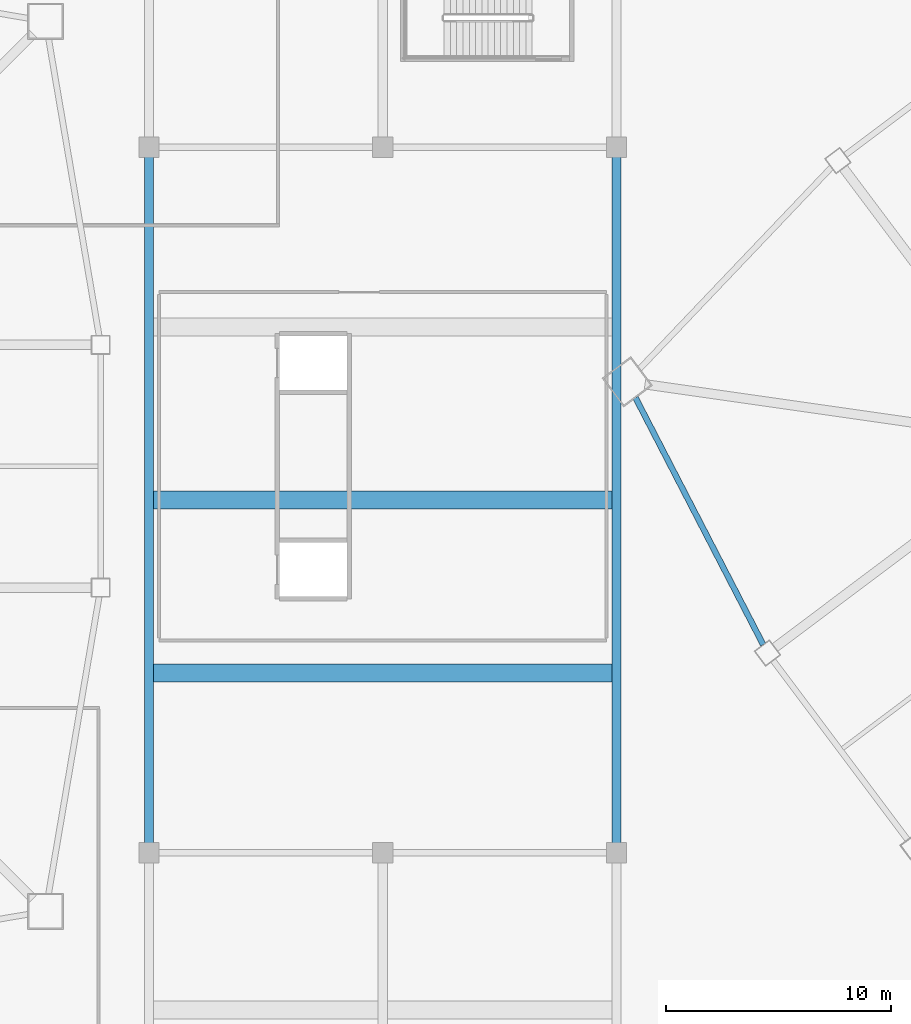
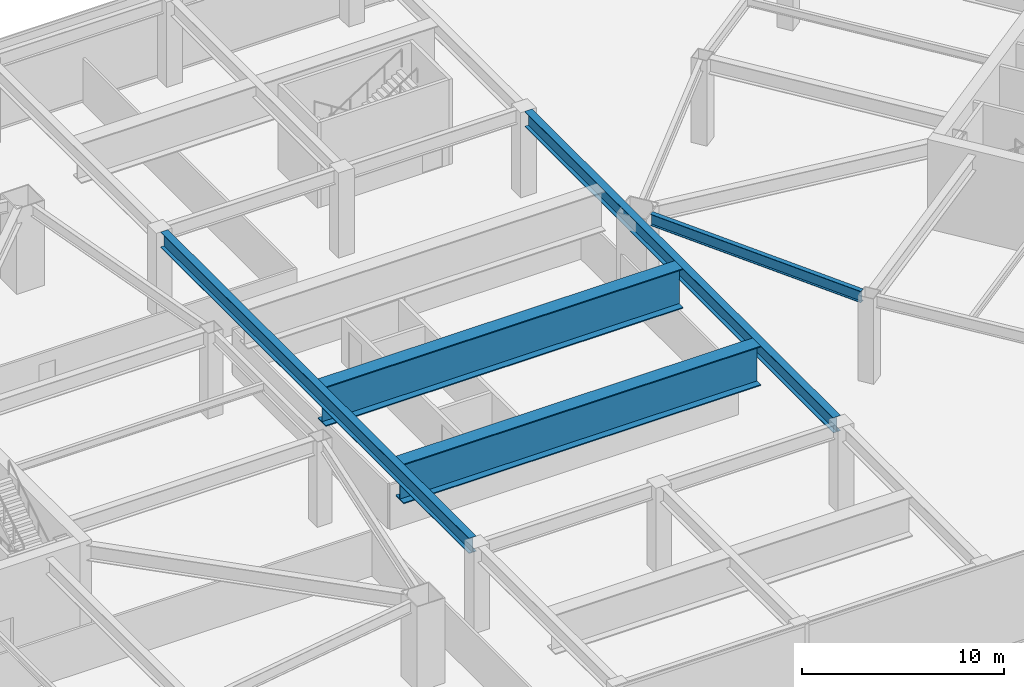
# One storey, part 17 of 48: 5 beams.
"""IFC4 building model written with IfcOpenShell, lengths in metres."""

from ifc_helpers import new_model, si_unit, direction, frame, origin, origin_2d, place, context, subcontext, project, spatial, i_section, extrude, material, material_profile, profile_set, type_object, element, save


model = new_model("IFC4")

# Units and contexts
model_context = context("Model", 3, precision=1e-05, world=origin(), true_north=direction((0.0, 1.0)))
body_context = subcontext(model_context, "Body", "Model", "MODEL_VIEW")
ifc_project = project(units=[si_unit("LENGTHUNIT", "METRE"), si_unit("AREAUNIT", "SQUARE_METRE"), si_unit("VOLUMEUNIT", "CUBIC_METRE"), si_unit("PLANEANGLEUNIT", "RADIAN"), si_unit("MASSUNIT", "GRAM", prefix="KILO")], contexts=[model_context])

# Site, building, storey
site_placement = place(None, origin())
site = spatial("IfcSite", under=ifc_project, at=site_placement, CompositionType="ELEMENT")
building_placement = place(site_placement, origin())
building = spatial("IfcBuilding", under=site, at=building_placement, Name="Tashvorn Skyway Center", CompositionType="ELEMENT")
storey_placement = place(building_placement, frame((0.0, 0.0, 10.199951171875)))
storey = spatial("IfcBuildingStorey", under=building, at=storey_placement, Name="L02", CompositionType="ELEMENT", Elevation=10.199951171875)

# Beams
ifc_material_1 = material(Name="Steel ASTM A572 Grade 50", Category="steel")
ifc_material_profile_1 = material_profile(ifc_material_1, i_section(OverallWidth=0.800048828125, OverallDepth=2.39990234375, WebThickness=0.035888671875, FlangeThickness=0.06005859375, at=origin_2d()), Name="PG2400x800")
ifc_profile_set_1 = profile_set([ifc_material_profile_1], Name="Steel ASTM A572 Grade 50")
beam_type_1 = type_object("IfcBeamType", Name="BM-BEAM-PG2400x800", PredefinedType="BEAM", material=ifc_profile_set_1)
for number, where, z_axis, x_axis, name in (
    (1, (66.6015625, 22.800048828125, 3.93994140625), (1.0, 0.0, 0.0), (0.0, 1.0, 0.0), "L02 Central Concourse Span Girder 04"),
    (2, (66.6015625, 30.5, 3.93994140625), (1.0, 0.0, 0.0), (0.0, 1.0, 0.0), "L02 Central Concourse Span Girder 05"),
):
    element("IfcBeam", number, at=place(storey_placement, frame(where, z_axis=z_axis, x_axis=x_axis)), inside=storey, type_object=beam_type_1, Name=name, PredefinedType="BEAM", context=body_context, shape_type="SweptSolid", body=[
        extrude(i_section(OverallWidth=0.800048828125, OverallDepth=2.39990234375, WebThickness=0.035888671875, FlangeThickness=0.06005859375, at=origin_2d()), origin(), (0.0, 0.0, 1.0), 20.39697265625),
    ])
ifc_material_2 = material(Name="Steel ASTM A913 Grade 65", Category="steel")
ifc_material_profile_2 = material_profile(ifc_material_2, i_section(OverallWidth=0.4189453125, OverallDepth=0.927001953125, WebThickness=0.019287109375, FlangeThickness=0.031982421875, at=origin_2d()), Name="W36X231")
ifc_profile_set_2 = profile_set([ifc_material_profile_2], Name="Steel ASTM A913 Grade 65")
beam_type_2 = type_object("IfcBeamType", Name="BM-BEAM-W36X231", PredefinedType="BEAM", material=ifc_profile_set_2)
for number, where, z_axis, x_axis, name in (
    (3, (66.39990234375, 15.2451171875, 4.676513671875), (0.0, 1.0, 0.0), (-1.0, 0.0, 0.0), "L02 North-South Podium Girder 03-M"),
    (4, (87.199951171875, 15.2451171875, 4.676513671875), (0.0, 1.0, 0.0), (-1.0, 0.0, 0.0), "L02 North-South Podium Girder 05-M"),
):
    element("IfcBeam", number, at=place(storey_placement, frame(where, z_axis=z_axis, x_axis=x_axis)), inside=storey, type_object=beam_type_2, Name=name, PredefinedType="BEAM", context=body_context, shape_type="SweptSolid", body=[
        extrude(i_section(OverallWidth=0.4189453125, OverallDepth=0.927001953125, WebThickness=0.019287109375, FlangeThickness=0.031982421875, at=origin_2d()), origin(), (0.0, 0.0, 1.0), 30.509765625),
    ])
ifc_material_3 = material(Name="Steel ASTM A992 Grade 50", Category="steel")
ifc_material_profile_3 = material_profile(ifc_material_3, i_section(OverallWidth=0.256103515625, OverallDepth=0.693115234375, WebThickness=0.014404296875, FlangeThickness=0.023681640625, at=origin_2d()), Name="W27X114")
ifc_profile_set_3 = profile_set([ifc_material_profile_3], Name="Steel ASTM A992 Grade 50")
beam_type_3 = type_object("IfcBeamType", Name="BM-SPANDREL-W27X114", PredefinedType="SPANDREL", material=ifc_profile_set_3)
beam_placement = place(storey_placement, frame((88.045166015625, 35.0537109375, 4.79345703125), z_axis=(0.459233413919, -0.888315637339, 0.0), x_axis=(0.888315637339, 0.459233413919, 0.0)))
element("IfcBeam", 5, at=beam_placement, inside=storey, type_object=beam_type_3, Name="Tower 2 L02 Spandrel Beam 10", PredefinedType="SPANDREL", context=body_context, shape_type="SweptSolid", body=[
    extrude(i_section(OverallWidth=0.256103515625, OverallDepth=0.693115234375, WebThickness=0.014404296875, FlangeThickness=0.023681640625, at=origin_2d()), origin(), (0.0, 0.0, 1.0), 12.37255859375),
])

save(model, "model.ifc")
